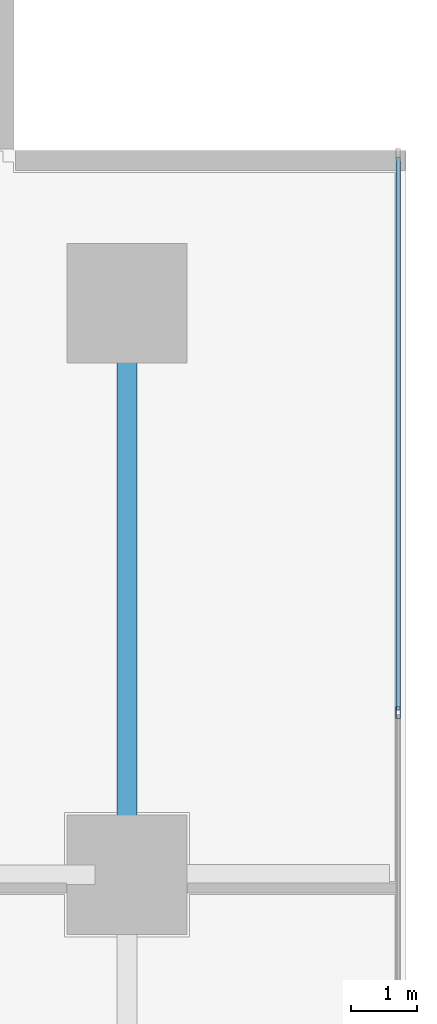
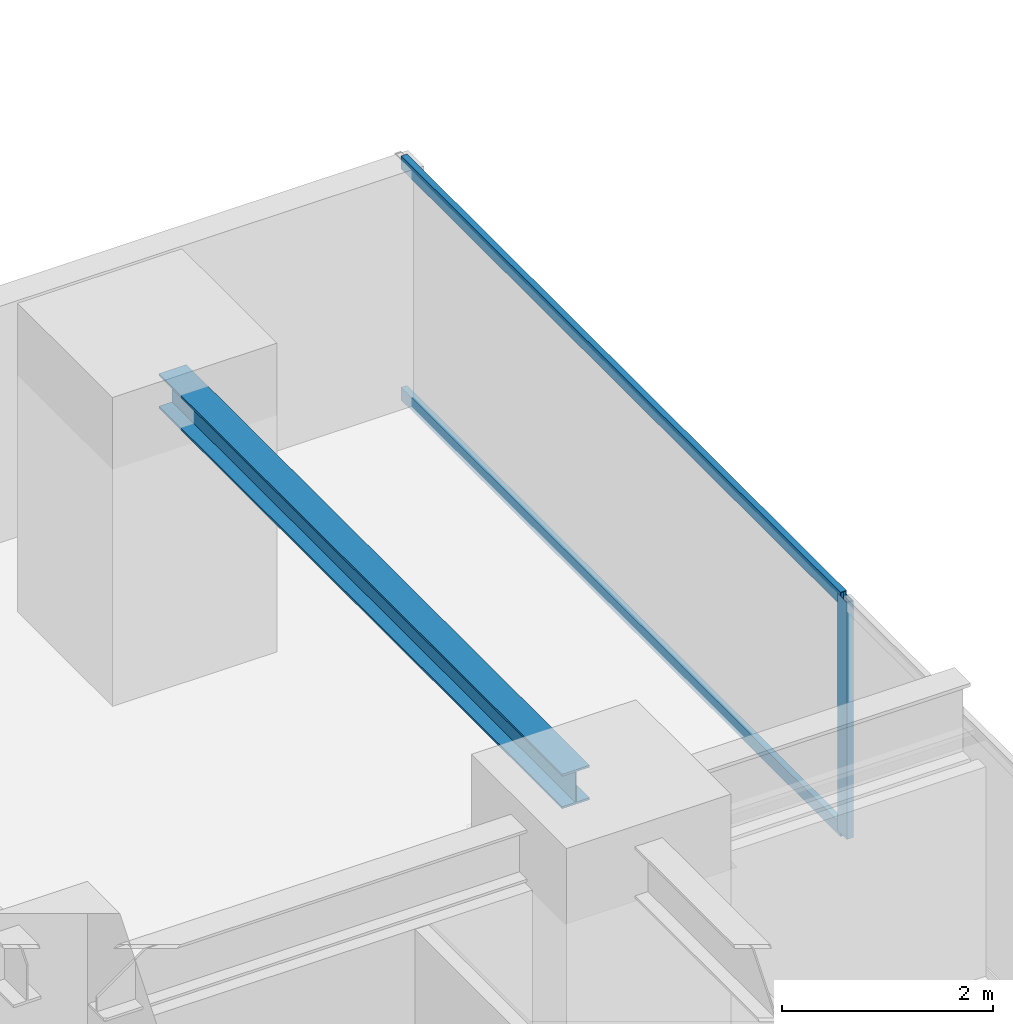
# One storey, part 20 of 32: 3 members, 1 beam, 1 element without a shape of its own.
"""IFC4 building model written with IfcOpenShell, lengths in metres."""

from ifc_helpers import new_model, si_unit, direction, frame, origin, origin_2d, place, context, subcontext, project, spatial, hollow_rectangle, i_section, extrude, source, transform, mapped, material, layer, layer_set, material_profile, profile_set, type_object, element, aggregate, save


model = new_model("IFC4")

# Units and contexts
model_context = context("Model", 3, precision=1e-05, world=origin(), true_north=direction((0.0, 1.0)))
body_context = subcontext(model_context, "Body", "Model", "MODEL_VIEW")
ifc_project = project(units=[si_unit("LENGTHUNIT", "METRE"), si_unit("AREAUNIT", "SQUARE_METRE"), si_unit("VOLUMEUNIT", "CUBIC_METRE"), si_unit("PLANEANGLEUNIT", "RADIAN"), si_unit("MASSUNIT", "GRAM", prefix="KILO")], contexts=[model_context])

# Site, building, storey
site_placement = place(None, origin())
site = spatial("IfcSite", under=ifc_project, at=site_placement, CompositionType="ELEMENT")
building_placement = place(site_placement, origin())
building = spatial("IfcBuilding", under=site, at=building_placement, Name="Sumidabori Civic Tower", CompositionType="ELEMENT")
storey_placement = place(building_placement, frame((0.0, 0.0, 45.199951171875)))
storey = spatial("IfcBuildingStorey", under=building, at=storey_placement, Name="L11", CompositionType="ELEMENT", Elevation=45.199951171875)

# Beam
ifc_material_1 = material(Name="Steel SN490", Category="steel")
ifc_material_profile_1 = material_profile(ifc_material_1, i_section(OverallWidth=0.300048828125, OverallDepth=0.39990234375, WebThickness=0.013427734375, FlangeThickness=0.02392578125, at=origin_2d()), Name="HE 400 B")
ifc_profile_set_1 = profile_set([ifc_material_profile_1], Name="Steel SN490")
beam_type = type_object("IfcBeamType", Name="BM-GIRD-400", PredefinedType="BEAM", material=ifc_profile_set_1)
shared_shape_1 = source(origin(), body_context, "Body", "SweptSolid", [
    extrude(i_section(OverallWidth=0.300048828125, OverallDepth=0.39990234375, WebThickness=0.013427734375, FlangeThickness=0.02392578125, at=origin_2d()), origin(), (0.0, 0.0, 1.0), 7.64013671875),
])
beam_placement = place(storey_placement, frame((22.800048828125, 10.679931640625, 3.16015625), z_axis=(0.0, 1.0, 0.0), x_axis=(-1.0, 0.0, 0.0)))
element("IfcBeam", 1, at=beam_placement, inside=storey, type_object=beam_type, Name="Primary Girder L11 GY-42", PredefinedType="BEAM", context=body_context, shape_type="MappedRepresentation", body=[
    mapped(shared_shape_1, transform((0.0, 0.0, 0.0), x_axis=(1.0, 0.0, 0.0), y_axis=(0.0, 1.0, 0.0), z_axis=(0.0, 0.0, 1.0), scale=1.0)),
])

# Curtain wall, members
ifc_material_2 = material(Name="Anodised Bronze Aluminium AW-6063-T6", Category="aluminium")
ifc_layer = layer(ifc_material_2, 0.179931640625, Name="Anodised Bronze Aluminium AW-6063-T6")
ifc_layer_set = layer_set([ifc_layer], Name="Anodised Bronze Aluminium AW-6063-T6")
curtain_wall_type = type_object("IfcCurtainWallType", Name="CW-SYS-2", PredefinedType="NOTDEFINED", material=ifc_layer_set)
curtain_wall_placement = place(storey_placement, origin())
curtain_wall = element("IfcCurtainWall", 2, at=curtain_wall_placement, inside=storey, type_object=curtain_wall_type, Name="Curtain Wall CW:L11:R04", PredefinedType="NOTDEFINED")
ifc_material_profile_2 = material_profile(ifc_material_2, hollow_rectangle(XDim=0.070068359375, YDim=0.179931640625, WallThickness=0.006103515625, at=origin_2d()), Name="ALU MULLION 180x70")
ifc_profile_set_2 = profile_set([ifc_material_profile_2], Name="Anodised Bronze Aluminium AW-6063-T6")
member_type_1 = type_object("IfcMemberType", Name="CW-MUL-180", PredefinedType="MULLION", material=ifc_profile_set_2)
shared_shape_2 = source(origin(), body_context, "Body", "SweptSolid", [
    extrude(hollow_rectangle(XDim=0.070068359375, YDim=0.179931640625, WallThickness=0.006103515625, at=origin_2d()), origin(), (0.0, 0.0, 1.0), 2.739990234375),
])
member_1_placement = place(storey_placement, frame((26.8798828125, 12.64208984375, 0.0), z_axis=(0.0, 0.0, 1.0), x_axis=(-1.0, 0.0, 0.0)))
member_1 = element("IfcMember", 3, at=member_1_placement, type_object=member_type_1, Name="CW-2 mullion 5", PredefinedType="MULLION", context=body_context, shape_type="MappedRepresentation", body=[
    mapped(shared_shape_2, transform((0.0, 0.0, 0.0), x_axis=(1.0, 0.0, 0.0), y_axis=(0.0, 1.0, 0.0), z_axis=(0.0, 0.0, 1.0), scale=1.0)),
])
ifc_material_profile_3 = material_profile(ifc_material_2, hollow_rectangle(XDim=0.06494140625, YDim=0.14990234375, WallThickness=0.0048828125, at=origin_2d()), Name="ALU TRANSOM 150x65")
ifc_profile_set_3 = profile_set([ifc_material_profile_3], Name="Anodised Bronze Aluminium AW-6063-T6")
member_type_2 = type_object("IfcMemberType", Name="CW-TRN-150", PredefinedType="USERDEFINED", material=ifc_profile_set_3)
shared_shape_3 = source(origin(), body_context, "Body", "SweptSolid", [
    extrude(hollow_rectangle(XDim=0.06494140625, YDim=0.14990234375, WallThickness=0.0048828125, at=origin_2d()), origin(), (0.0, 0.0, 1.0), 8.322998046875),
])
member_2_placement = place(storey_placement, frame((26.8798828125, 12.677001953125, 0.032470703125), z_axis=(0.0, 1.0, 0.0), x_axis=(-1.0, 0.0, 0.0)))
member_2 = element("IfcMember", 4, at=member_2_placement, type_object=member_type_2, Name="CW-2 transom 5.1", ObjectType="TRANSOM", PredefinedType="USERDEFINED", context=body_context, shape_type="MappedRepresentation", body=[
    mapped(shared_shape_3, transform((0.0, 0.0, 0.0), x_axis=(1.0, 0.0, 0.0), y_axis=(0.0, 1.0, 0.0), z_axis=(0.0, 0.0, 1.0), scale=1.0)),
])
member_3_placement = place(storey_placement, frame((26.8798828125, 12.677001953125, 2.70751953125), z_axis=(0.0, 1.0, 0.0), x_axis=(-1.0, 0.0, 0.0)))
member_3 = element("IfcMember", 5, at=member_3_placement, type_object=member_type_2, Name="CW-2 transom 5.2", ObjectType="TRANSOM", PredefinedType="USERDEFINED", context=body_context, shape_type="MappedRepresentation", body=[
    mapped(shared_shape_3, transform((0.0, 0.0, 0.0), x_axis=(1.0, 0.0, 0.0), y_axis=(0.0, 1.0, 0.0), z_axis=(0.0, 0.0, 1.0), scale=1.0)),
])
aggregate(curtain_wall, [member_1, member_2, member_3])

save(model, "model.ifc")
